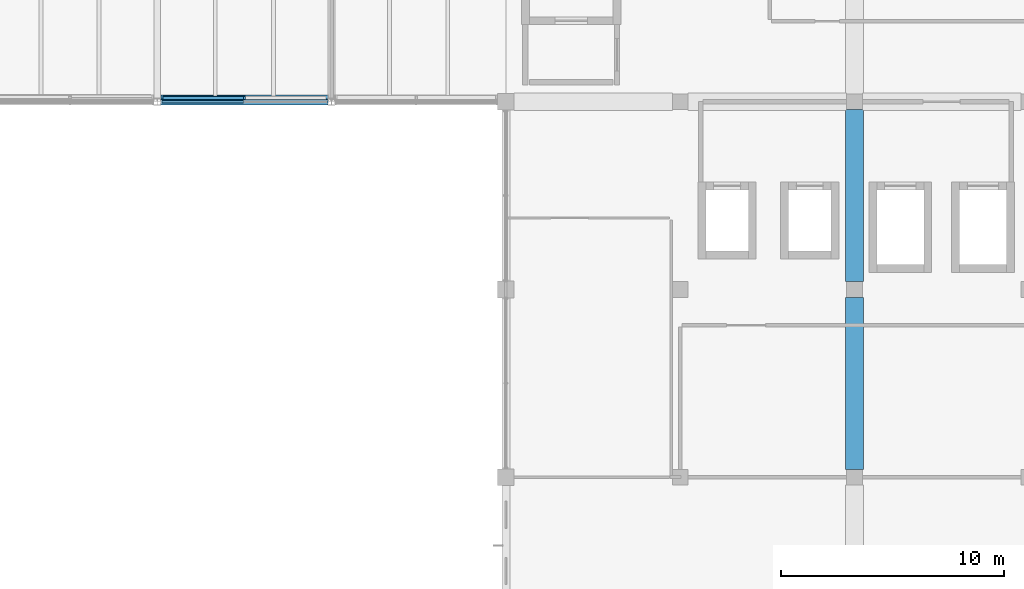
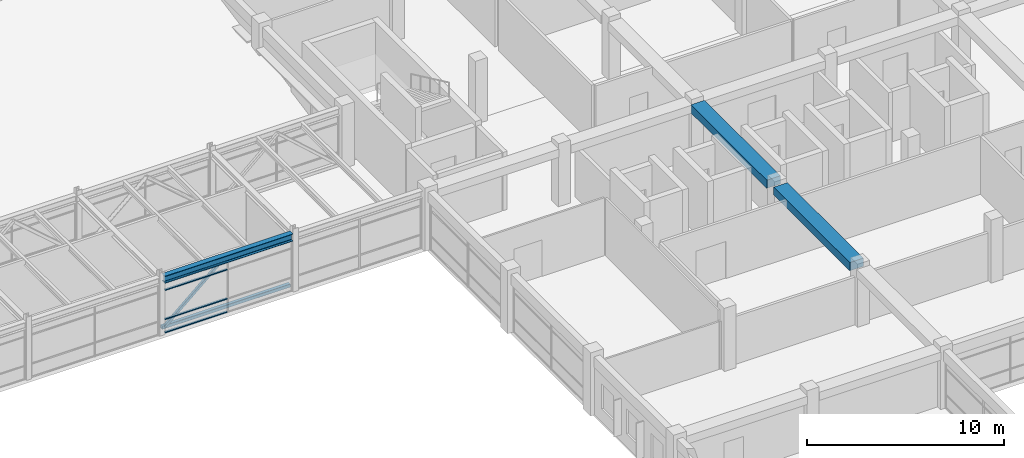
# One storey, part 35 of 72: 6 members, 3 beams, 1 element without a shape of its own.
"""IFC4 building model written with IfcOpenShell, lengths in metres."""

from ifc_helpers import new_model, si_unit, direction, frame, origin, origin_2d, place, context, subcontext, project, spatial, rectangle, hollow_rectangle, i_section, extrude, material, material_profile, profile_set, type_object, element, aggregate, save


model = new_model("IFC4")

# Units and contexts
model_context = context("Model", 3, precision=1e-05, world=origin(), true_north=direction((0.0, 1.0)))
body_context = subcontext(model_context, "Body", "Model", "MODEL_VIEW")
ifc_project = project(units=[si_unit("LENGTHUNIT", "METRE"), si_unit("AREAUNIT", "SQUARE_METRE"), si_unit("VOLUMEUNIT", "CUBIC_METRE"), si_unit("PLANEANGLEUNIT", "RADIAN"), si_unit("MASSUNIT", "GRAM", prefix="KILO"), si_unit("THERMODYNAMICTEMPERATUREUNIT", "KELVIN"), si_unit("POWERUNIT", "WATT")], contexts=[model_context])

# Site, building, storey
site_placement = place(None, origin())
site = spatial("IfcSite", under=ifc_project, at=site_placement, CompositionType="ELEMENT")
building_placement = place(site_placement, origin())
building = spatial("IfcBuilding", under=site, at=building_placement, Name="Srebrne Nadtorze General Hospital", CompositionType="ELEMENT")
storey_placement = place(building_placement, frame((0.0, 0.0, 22.199951171875)))
storey = spatial("IfcBuildingStorey", under=building, at=storey_placement, Name="L05", CompositionType="ELEMENT", Elevation=22.199951171875)

# Beam
ifc_material_1 = material(Name="Steel S355J2", Category="steel")
ifc_material_profile_1 = material_profile(ifc_material_1, i_section(OverallWidth=0.300048828125, OverallDepth=0.449951171875, WebThickness=0.013916015625, FlangeThickness=0.02587890625, FilletRadius=0.027099609375, at=origin_2d()), Name="HEB-450")
ifc_profile_set_1 = profile_set([ifc_material_profile_1], Name="Steel S355J2")
beam_type_1 = type_object("IfcBeamType", Name="Courtyard bridge girder HEB 450", PredefinedType="BEAM", material=ifc_profile_set_1)
beam_placement = place(storey_placement, frame((85.949951171875, 50.39990234375, 3.375), z_axis=(1.0, 0.0, 0.0), x_axis=(0.0, 1.0, 0.0)))
element("IfcBeam", 1, at=beam_placement, inside=storey, type_object=beam_type_1, Name="Beam BM-L05-X-1026", PredefinedType="BEAM", context=body_context, shape_type="SweptSolid", body=[
    extrude(i_section(OverallWidth=0.300048828125, OverallDepth=0.449951171875, WebThickness=0.013916015625, FlangeThickness=0.02587890625, FilletRadius=0.027099609375, at=origin_2d()), origin(), (0.0, 0.0, 1.0), 7.5),
])

# Curtain wall, members
ifc_material_2 = material(Name="Anodised Aluminium", Category="aluminium")
curtain_wall_type = type_object("IfcCurtainWallType", Name="Bridge curtain wall 7500x3150", PredefinedType="NOTDEFINED", material=ifc_material_2)
curtain_wall_placement = place(storey_placement, origin())
curtain_wall = element("IfcCurtainWall", 2, at=curtain_wall_placement, inside=storey, type_object=curtain_wall_type, Name="Curtain wall CW-122", PredefinedType="NOTDEFINED")
ifc_material_3 = material(Name="Anodised Aluminium", Category="aluminium")
ifc_material_profile_2 = material_profile(ifc_material_3, hollow_rectangle(XDim=0.06005859375, YDim=0.1201171875, WallThickness=0.00390625, at=origin_2d()), Name="AL-TRN-60x120")
ifc_profile_set_2 = profile_set([ifc_material_profile_2], Name="Anodised Aluminium")
member_type_1 = type_object("IfcMemberType", Name="Curtain transom 60x120", PredefinedType="USERDEFINED", material=ifc_profile_set_2)
member_1_placement = place(storey_placement, frame((86.010009765625, 50.39990234375, 0.030029296875), z_axis=(1.0, 0.0, 0.0), x_axis=(0.0, 0.0, 1.0)))
member_1 = element("IfcMember", 3, at=member_1_placement, type_object=member_type_1, Name="CW-122 transom 1.1", ObjectType="TRANSOM", PredefinedType="USERDEFINED", context=body_context, shape_type="SweptSolid", body=[
    extrude(hollow_rectangle(XDim=0.06005859375, YDim=0.1201171875, WallThickness=0.00390625, at=origin_2d()), origin(), (0.0, 0.0, 1.0), 3.659912109375),
])
member_2_placement = place(storey_placement, frame((86.010009765625, 50.39990234375, 0.85009765625), z_axis=(1.0, 0.0, 0.0), x_axis=(0.0, 0.0, 1.0)))
member_2 = element("IfcMember", 4, at=member_2_placement, type_object=member_type_1, Name="CW-122 transom 1.2", ObjectType="TRANSOM", PredefinedType="USERDEFINED", context=body_context, shape_type="SweptSolid", body=[
    extrude(hollow_rectangle(XDim=0.06005859375, YDim=0.1201171875, WallThickness=0.00390625, at=origin_2d()), origin(), (0.0, 0.0, 1.0), 3.659912109375),
])
member_3_placement = place(storey_placement, frame((86.010009765625, 50.39990234375, 2.650146484375), z_axis=(1.0, 0.0, 0.0), x_axis=(0.0, 0.0, 1.0)))
member_3 = element("IfcMember", 5, at=member_3_placement, type_object=member_type_1, Name="CW-122 transom 1.3", ObjectType="TRANSOM", PredefinedType="USERDEFINED", context=body_context, shape_type="SweptSolid", body=[
    extrude(hollow_rectangle(XDim=0.06005859375, YDim=0.1201171875, WallThickness=0.00390625, at=origin_2d()), origin(), (0.0, 0.0, 1.0), 3.659912109375),
])
member_4_placement = place(storey_placement, frame((86.010009765625, 50.39990234375, 3.1201171875), z_axis=(1.0, 0.0, 0.0), x_axis=(0.0, 0.0, 1.0)))
member_4 = element("IfcMember", 6, at=member_4_placement, type_object=member_type_1, Name="CW-122 transom 1.4", ObjectType="TRANSOM", PredefinedType="USERDEFINED", context=body_context, shape_type="SweptSolid", body=[
    extrude(hollow_rectangle(XDim=0.06005859375, YDim=0.1201171875, WallThickness=0.00390625, at=origin_2d()), origin(), (0.0, 0.0, 1.0), 3.659912109375),
])
aggregate(curtain_wall, [member_1, member_2, member_3, member_4])

# Beams
ifc_material_4 = material(Name="Concrete C40/50", Category="concrete")
ifc_material_profile_3 = material_profile(ifc_material_4, rectangle(XDim=0.800048828125, YDim=0.5, at=origin_2d()), Name="RC-BM-800x500")
ifc_profile_set_3 = profile_set([ifc_material_profile_3], Name="Concrete C40/50")
beam_type_2 = type_object("IfcBeamType", Name="Primary beam RC 800x500", PredefinedType="BEAM", material=ifc_profile_set_3)
for number, where, z_axis, x_axis, name in (
    (7, (117.0, 33.949951171875, 3.35009765625), (0.0, 1.0, 0.0), (-1.0, 0.0, 0.0), "Beam BM-L05-Y-1107"),
    (8, (117.0, 42.35009765625, 3.35009765625), (0.0, 1.0, 0.0), (-1.0, 0.0, 0.0), "Beam BM-L05-Y-1108"),
):
    element("IfcBeam", number, at=place(storey_placement, frame(where, z_axis=z_axis, x_axis=x_axis)), inside=storey, type_object=beam_type_2, Name=name, PredefinedType="BEAM", context=body_context, shape_type="SweptSolid", body=[
        extrude(rectangle(XDim=0.800048828125, YDim=0.5, at=origin_2d()), origin(), (0.0, 0.0, 1.0), 7.699951171875),
    ])

# Members
ifc_material_5 = material(Name="Steel S355J2", Category="steel")
ifc_material_profile_4 = material_profile(ifc_material_5, hollow_rectangle(XDim=0.199951171875, YDim=0.199951171875, WallThickness=0.010009765625, InnerFilletRadius=0.010009765625, OuterFilletRadius=0.014892578125, at=origin_2d()), Name="SHS-200x200x10")
ifc_profile_set_4 = profile_set([ifc_material_profile_4], Name="Steel S355J2")
member_type_2 = type_object("IfcMemberType", Name="Truss chord SHS 200x200x10", PredefinedType="CHORD", material=ifc_profile_set_4)
member_5_placement = place(storey_placement, frame((85.9619140625, 50.60498046875, 0.25), z_axis=(1.0, 0.0, 0.0), x_axis=(0.0, 1.0, 0.0)))
element("IfcMember", 9, at=member_5_placement, inside=storey, type_object=member_type_2, Name="Clinical courtyard bridge truss chord 5", PredefinedType="CHORD", context=body_context, shape_type="SweptSolid", body=[
    extrude(hollow_rectangle(XDim=0.199951171875, YDim=0.199951171875, WallThickness=0.010009765625, InnerFilletRadius=0.010009765625, OuterFilletRadius=0.014892578125, at=origin_2d()), origin(), (0.0, 0.0, 1.0), 7.47607421875),
])
ifc_material_6 = material(Name="Steel S355J2", Category="steel")
ifc_material_profile_5 = material_profile(ifc_material_6, hollow_rectangle(XDim=0.14990234375, YDim=0.14990234375, WallThickness=0.00634765625, InnerFilletRadius=0.006103515625, OuterFilletRadius=0.009033203125, at=origin_2d()), Name="SHS-150x150x6.3")
ifc_profile_set_5 = profile_set([ifc_material_profile_5], Name="Steel S355J2")
member_type_3 = type_object("IfcMemberType", Name="Wind brace SHS 150x150x6.3", PredefinedType="BRACE", material=ifc_profile_set_5)
member_6_placement = place(storey_placement, frame((86.10009765625, 50.570068359375, 0.25), z_axis=(0.754624252348, 0.0, 0.656157174592), x_axis=(0.0, 1.0, 0.0)))
element("IfcMember", 10, at=member_6_placement, inside=storey, type_object=member_type_3, Name="Clinical courtyard bridge brace 9", PredefinedType="BRACE", context=body_context, shape_type="SweptSolid", body=[
    extrude(hollow_rectangle(XDim=0.14990234375, YDim=0.14990234375, WallThickness=0.00634765625, InnerFilletRadius=0.006103515625, OuterFilletRadius=0.009033203125, at=origin_2d()), origin(), (0.0, 0.0, 1.0), 4.7705078125),
])

save(model, "model.ifc")
